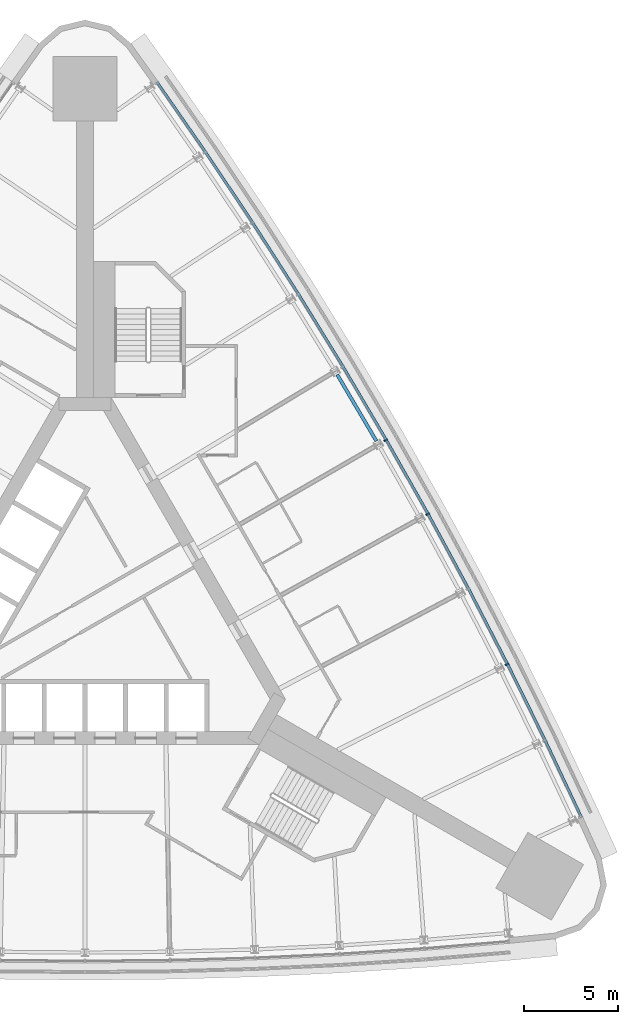
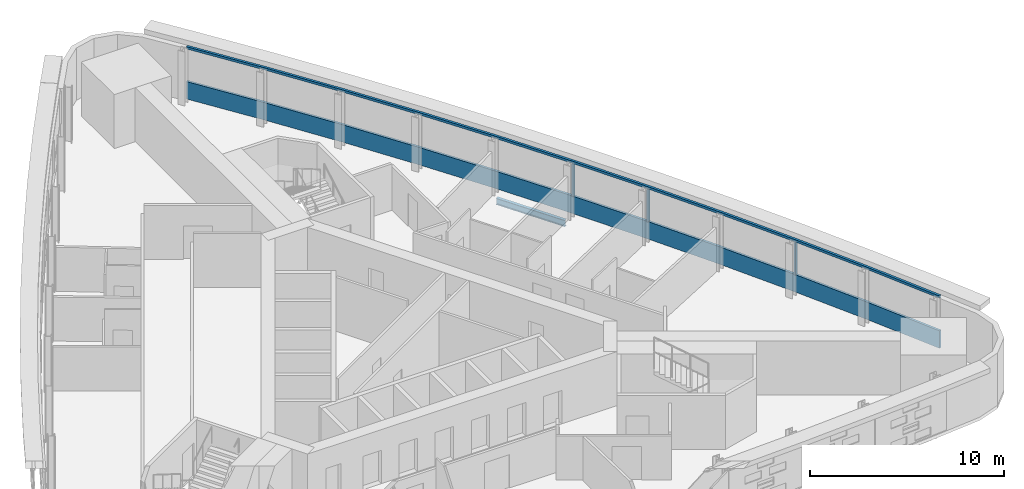
# One storey, part 7 of 15: 5 members, 1 beam, 1 element without a shape of its own.
"""IFC4 building model written with IfcOpenShell, lengths in metres."""

from ifc_helpers import new_model, si_unit, direction, frame, origin, origin_2d, place, context, subcontext, project, spatial, polyline, rectangle, i_section, outline, extrude, material, material_profile, profile_set, type_object, element, aggregate, save


model = new_model("IFC4")

# Units and contexts
model_context = context("Model", 3, precision=1e-05, world=origin(), true_north=direction((0.0, 1.0)))
body_context = subcontext(model_context, "Body", "Model", "MODEL_VIEW")
ifc_project = project(units=[si_unit("LENGTHUNIT", "METRE"), si_unit("AREAUNIT", "SQUARE_METRE"), si_unit("VOLUMEUNIT", "CUBIC_METRE"), si_unit("PLANEANGLEUNIT", "RADIAN"), si_unit("MASSUNIT", "GRAM", prefix="KILO")], contexts=[model_context])

# Site, building, storey
site_placement = place(None, origin())
site = spatial("IfcSite", under=ifc_project, at=site_placement, CompositionType="ELEMENT")
building_placement = place(site_placement, origin())
building = spatial("IfcBuilding", under=site, at=building_placement, Name="Noor Cloister Tower", CompositionType="ELEMENT")
storey_placement = place(building_placement, frame((0.0, 0.0, 31.199951171875)))
storey = spatial("IfcBuildingStorey", under=building, at=storey_placement, Name="L07", CompositionType="ELEMENT", Elevation=31.199951171875)

# Curtain wall, members
ifc_material_1 = material(Name="Aluminium 6063-T6 anodised", Category="aluminium")
curtain_wall_type = type_object("IfcCurtainWallType", Name="Ribbon curtain wall, lower tower CW1", PredefinedType="NOTDEFINED", material=ifc_material_1)
curtain_wall_placement = place(storey_placement, origin())
curtain_wall = element("IfcCurtainWall", 1, at=curtain_wall_placement, inside=storey, type_object=curtain_wall_type, Name="CW1 L07 NE run 3", PredefinedType="NOTDEFINED")
ifc_material_2 = material(Name="Aluminium 6063-T6 anodised", Category="aluminium")
member_type_1 = type_object("IfcMemberType", Name="Head transom CW1 150", PredefinedType="USERDEFINED", material=ifc_material_2)
member_1_placement = place(storey_placement, frame((0.0, 0.0, 3.150146484375)))
member_1 = element("IfcMember", 2, at=member_1_placement, type_object=member_type_1, Name="CW1 head transom", ObjectType="TRANSOM", PredefinedType="USERDEFINED", context=body_context, shape_type="SweptSolid", body=[
    extrude(outline(polyline([(26.337646484375, -10.737548828125), (24.42041015625, -6.66650390625), (22.42822265625, -2.631591796875), (20.361328125, 1.36572265625), (18.220703125, 5.32373046875), (16.0068359375, 9.24169921875), (13.720947265625, 13.11767578125), (11.36328125, 16.950439453125), (8.93505859375, 20.739013671875), (6.43701171875, 24.48193359375), (3.869873046875, 28.177734375), (3.7548828125, 28.097900390625), (6.3212890625, 24.403076171875), (8.81787109375, 20.662353515625), (11.244873046875, 16.8759765625), (13.600830078125, 13.04541015625), (15.8857421875, 9.171630859375), (18.09814453125, 5.256103515625), (20.237548828125, 1.30029296875), (22.30322265625, -2.694580078125), (24.29443359375, -6.727294921875), (26.2109375, -10.797119140625), (26.337646484375, -10.737548828125)])), origin(), (0.0, 0.0, 1.0), 0.14990234375),
])
ifc_material_3 = material(Name="Aluminium 6063-T6 anodised", Category="aluminium")
ifc_material_profile_1 = material_profile(ifc_material_3, rectangle(XDim=0.199951171875, YDim=0.080078125, at=origin_2d()), Name="200 x 80 mullion")
ifc_profile_set_1 = profile_set([ifc_material_profile_1], Name="Aluminium 6063-T6 anodised")
member_type_2 = type_object("IfcMemberType", Name="Mullion CW1 80 x 200", PredefinedType="MULLION", material=ifc_profile_set_1)
member_2_placement = place(storey_placement, frame((22.3388671875, -2.6767578125, 1.10009765625), z_axis=(0.0, 0.0, 1.0), x_axis=(-0.892500656737, -0.451046092683, 0.0)))
member_2 = element("IfcMember", 3, at=member_2_placement, type_object=member_type_2, Name="CW1 mullion 3", PredefinedType="MULLION", context=body_context, shape_type="SweptSolid", body=[
    extrude(rectangle(XDim=0.199951171875, YDim=0.080078125, at=origin_2d()), origin(), (0.0, 0.0, 1.0), 2.050048828125),
])
member_3_placement = place(storey_placement, frame((18.133056640625, 5.275390625, 1.10009765625), z_axis=(0.0, 0.0, 1.0), x_axis=(-0.875152761016, -0.483846716312, 0.0)))
member_3 = element("IfcMember", 4, at=member_3_placement, type_object=member_type_2, Name="CW1 mullion 5", PredefinedType="MULLION", context=body_context, shape_type="SweptSolid", body=[
    extrude(rectangle(XDim=0.199951171875, YDim=0.080078125, at=origin_2d()), origin(), (0.0, 0.0, 1.0), 2.050048828125),
])
member_4_placement = place(storey_placement, frame((15.920166015625, 9.191650390625, 1.10009765625), z_axis=(0.0, 0.0, 1.0), x_axis=(-0.866025403784, -0.5, 0.0)))
member_4 = element("IfcMember", 5, at=member_4_placement, type_object=member_type_2, Name="CW1 mullion 6", PredefinedType="MULLION", context=body_context, shape_type="SweptSolid", body=[
    extrude(rectangle(XDim=0.199951171875, YDim=0.080078125, at=origin_2d()), origin(), (0.0, 0.0, 1.0), 2.050048828125),
])
ifc_material_4 = material(Name="Aluminium 6063-T6 anodised", Category="aluminium")
member_type_3 = type_object("IfcMemberType", Name="Sill transom CW1 1100", PredefinedType="USERDEFINED", material=ifc_material_4)
member_5_placement = place(storey_placement, origin())
member_5 = element("IfcMember", 6, at=member_5_placement, type_object=member_type_3, Name="CW1 sill transom", ObjectType="TRANSOM", PredefinedType="USERDEFINED", context=body_context, shape_type="SweptSolid", body=[
    extrude(outline(polyline([(26.337646484375, -10.737548828125), (24.42041015625, -6.66650390625), (22.42822265625, -2.631591796875), (20.361328125, 1.36572265625), (18.220703125, 5.32373046875), (16.0068359375, 9.24169921875), (13.720947265625, 13.11767578125), (11.36328125, 16.950439453125), (8.93505859375, 20.739013671875), (6.43701171875, 24.48193359375), (3.869873046875, 28.177734375), (3.7548828125, 28.097900390625), (6.3212890625, 24.403076171875), (8.81787109375, 20.662353515625), (11.244873046875, 16.8759765625), (13.600830078125, 13.04541015625), (15.8857421875, 9.171630859375), (18.09814453125, 5.256103515625), (20.237548828125, 1.30029296875), (22.30322265625, -2.694580078125), (24.29443359375, -6.727294921875), (26.2109375, -10.797119140625), (26.337646484375, -10.737548828125)])), origin(), (0.0, 0.0, 1.0), 1.10009765625),
])
aggregate(curtain_wall, [member_2, member_3, member_4, member_5, member_1])

# Beam
ifc_material_5 = material(Name="Steel ASTM A992 Gr 50", Category="steel")
ifc_material_profile_2 = material_profile(ifc_material_5, i_section(OverallWidth=0.177978515625, OverallDepth=0.406005859375, WebThickness=0.0078125, FlangeThickness=0.0126953125, FilletRadius=0.01025390625, at=origin_2d()), Name="W410x60")
ifc_profile_set_2 = profile_set([ifc_material_profile_2], Name="Steel ASTM A992 Gr 50")
beam_type = type_object("IfcBeamType", Name="Spandrel beam W410x60", PredefinedType="SPANDREL", material=ifc_profile_set_2)
beam_placement = place(storey_placement, frame((15.427978515625, 9.140625, -0.40283203125), z_axis=(-0.508022532874, 0.861343779273, 0.0), x_axis=(-0.861343779273, -0.508022532874, 0.0)))
element("IfcBeam", 7, at=beam_placement, inside=storey, type_object=beam_type, Name="Spandrel beam NE 06 L07", PredefinedType="SPANDREL", context=body_context, shape_type="SweptSolid", body=[
    extrude(i_section(OverallWidth=0.177978515625, OverallDepth=0.406005859375, WebThickness=0.0078125, FlangeThickness=0.0126953125, FilletRadius=0.01025390625, at=origin_2d()), origin(), (0.0, 0.0, 1.0), 4.085693359375),
])

save(model, "model.ifc")
